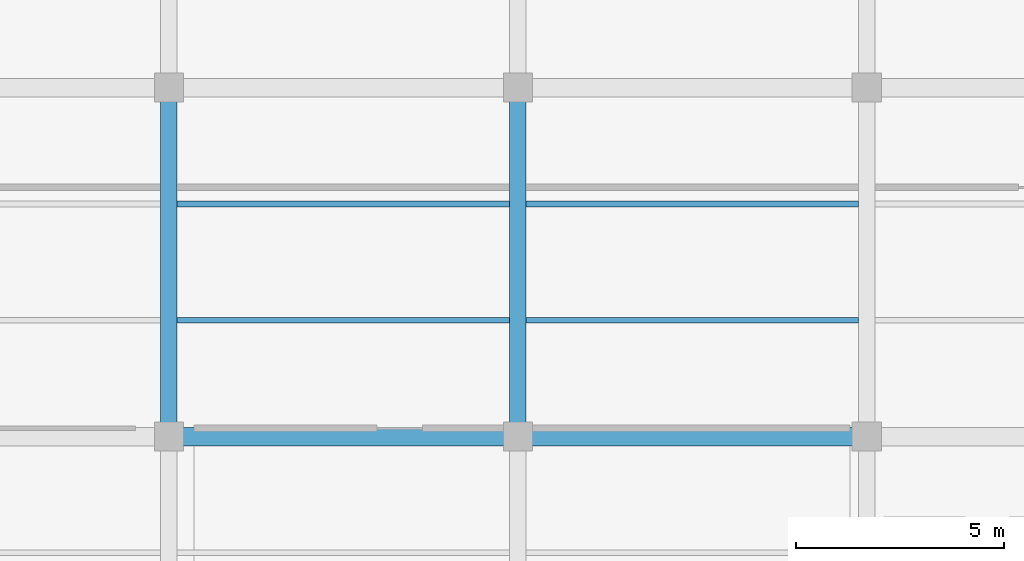
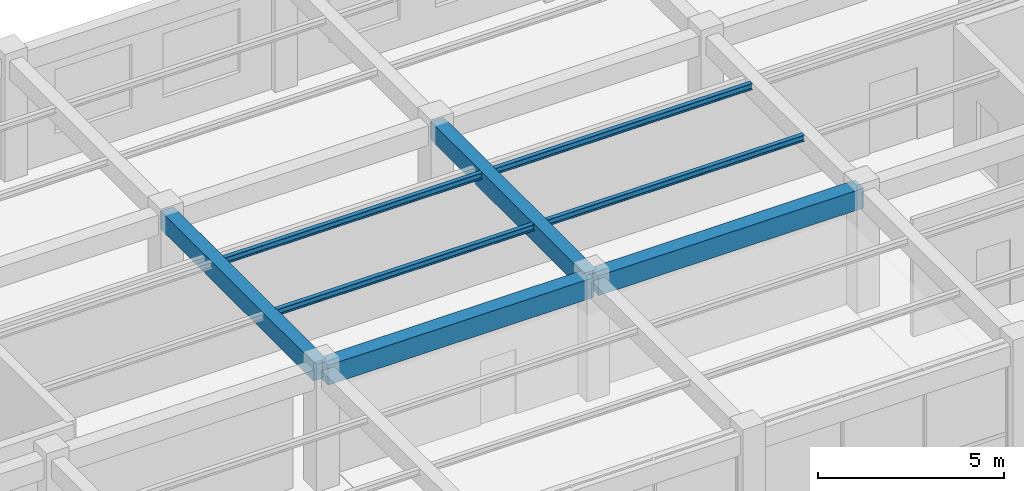
# One storey, part 15 of 152: 8 beams.
"""IFC4 building model written with IfcOpenShell, lengths in metres."""

from ifc_helpers import new_model, si_unit, direction, frame, origin, origin_2d, place, context, subcontext, project, spatial, rectangle, i_section, extrude, material, material_profile, profile_set, type_object, element, save


model = new_model("IFC4")

# Units and contexts
model_context = context("Model", 3, precision=1e-05, world=origin(), true_north=direction((0.0, 1.0)))
body_context = subcontext(model_context, "Body", "Model", "MODEL_VIEW")
ifc_project = project(units=[si_unit("LENGTHUNIT", "METRE"), si_unit("AREAUNIT", "SQUARE_METRE"), si_unit("VOLUMEUNIT", "CUBIC_METRE"), si_unit("PLANEANGLEUNIT", "RADIAN"), si_unit("MASSUNIT", "GRAM", prefix="KILO"), si_unit("THERMODYNAMICTEMPERATUREUNIT", "KELVIN"), si_unit("POWERUNIT", "WATT")], contexts=[model_context])

# Site, building, storey
site_placement = place(None, origin())
site = spatial("IfcSite", under=ifc_project, at=site_placement, CompositionType="ELEMENT")
building_placement = place(site_placement, origin())
building = spatial("IfcBuilding", under=site, at=building_placement, Name="Darbajah Civic Hall", CompositionType="ELEMENT")
storey_placement = place(building_placement, frame((0.0, 0.0, 5.39990234375)))
storey = spatial("IfcBuildingStorey", under=building, at=storey_placement, Name="L01", CompositionType="ELEMENT", Elevation=5.39990234375)

# Beams
ifc_material_1 = material(Name="Concrete C45/55", Category="concrete")
ifc_material_profile_1 = material_profile(ifc_material_1, rectangle(XDim=0.39990234375, YDim=0.60009765625, at=origin_2d()), Name="RC BEAM 400x600")
ifc_profile_set_1 = profile_set([ifc_material_profile_1], Name="Concrete C45/55")
beam_type_1 = type_object("IfcBeamType", Name="RC BEAM 400x600", PredefinedType="BEAM", material=ifc_profile_set_1)
for number, where, z_axis, x_axis, name in (
    (1, (16.800048828125, 25.280029296875, 3.64013671875), (0.0, 1.0, 0.0), (-1.0, 0.0, 0.0), "L01 beam BM-4060"),
    (2, (25.199951171875, 25.280029296875, 3.64013671875), (0.0, 1.0, 0.0), (-1.0, 0.0, 0.0), "L01 beam BM-4060"),
):
    element("IfcBeam", number, at=place(storey_placement, frame(where, z_axis=z_axis, x_axis=x_axis)), inside=storey, type_object=beam_type_1, Name=name, PredefinedType="BEAM", context=body_context, shape_type="SweptSolid", body=[
        extrude(rectangle(XDim=0.39990234375, YDim=0.60009765625, at=origin_2d()), origin(), (0.0, 0.0, 1.0), 8.239990234375),
    ])
ifc_material_profile_2 = material_profile(ifc_material_1, rectangle(XDim=0.449951171875, YDim=0.64990234375, at=origin_2d()), Name="RC BEAM 450x650")
ifc_profile_set_2 = profile_set([ifc_material_profile_2], Name="Concrete C45/55")
beam_type_2 = type_object("IfcBeamType", Name="RC BEAM 450x650", PredefinedType="BEAM", material=ifc_profile_set_2)
beam_1_placement = place(storey_placement, frame((16.8798828125, 25.199951171875, 3.614990234375), z_axis=(1.0, 0.0, 0.0), x_axis=(0.0, 1.0, 0.0)))
element("IfcBeam", 3, at=beam_1_placement, inside=storey, type_object=beam_type_2, Name="L01 beam BM-4565", PredefinedType="BEAM", context=body_context, shape_type="SweptSolid", body=[
    extrude(rectangle(XDim=0.449951171875, YDim=0.64990234375, at=origin_2d()), origin(), (0.0, 0.0, 1.0), 8.240234375),
])
beam_2_placement = place(storey_placement, frame((25.280029296875, 25.199951171875, 3.614990234375), z_axis=(1.0, 0.0, 0.0), x_axis=(0.0, 1.0, 0.0)))
element("IfcBeam", 4, at=beam_2_placement, inside=storey, type_object=beam_type_2, Name="L01 beam BM-4565", PredefinedType="BEAM", context=body_context, shape_type="SweptSolid", body=[
    extrude(rectangle(XDim=0.449951171875, YDim=0.64990234375, at=origin_2d()), origin(), (0.0, 0.0, 1.0), 8.239990234375),
])
ifc_material_2 = material(Name="Steel S355JR", Category="steel")
ifc_material_profile_3 = material_profile(ifc_material_2, i_section(OverallWidth=0.1337890625, OverallDepth=0.206787109375, WebThickness=0.00634765625, FlangeThickness=0.009521484375, FilletRadius=0.007568359375, at=origin_2d()), Name="UB 203x133x30")
ifc_profile_set_3 = profile_set([ifc_material_profile_3], Name="Steel S355JR")
beam_type_3 = type_object("IfcBeamType", Name="UB 203x133x30", PredefinedType="JOIST", material=ifc_profile_set_3)
for number, where, z_axis, x_axis, name in (
    (5, (17.0, 28.0, 3.836669921875), (1.0, 0.0, 0.0), (0.0, 1.0, 0.0), "L01 beam SJ-203"),
    (6, (17.0, 30.800048828125, 3.836669921875), (1.0, 0.0, 0.0), (0.0, 1.0, 0.0), "L01 beam SJ-203"),
    (7, (25.39990234375, 28.0, 3.836669921875), (1.0, 0.0, 0.0), (0.0, 1.0, 0.0), "L01 beam SJ-203"),
    (8, (25.39990234375, 30.800048828125, 3.836669921875), (1.0, 0.0, 0.0), (0.0, 1.0, 0.0), "L01 beam SJ-203"),
):
    element("IfcBeam", number, at=place(storey_placement, frame(where, z_axis=z_axis, x_axis=x_axis)), inside=storey, type_object=beam_type_3, Name=name, PredefinedType="JOIST", context=body_context, shape_type="SweptSolid", body=[
        extrude(i_section(OverallWidth=0.1337890625, OverallDepth=0.206787109375, WebThickness=0.00634765625, FlangeThickness=0.009521484375, FilletRadius=0.007568359375, at=origin_2d()), origin(), (0.0, 0.0, 1.0), 8.0),
    ])

save(model, "model.ifc")
